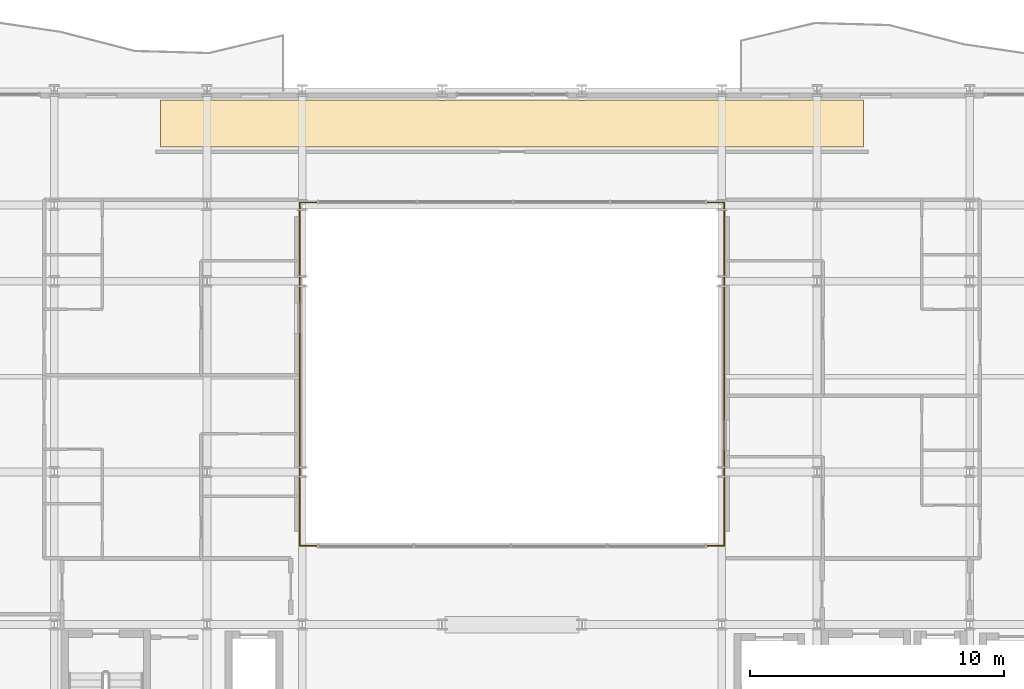
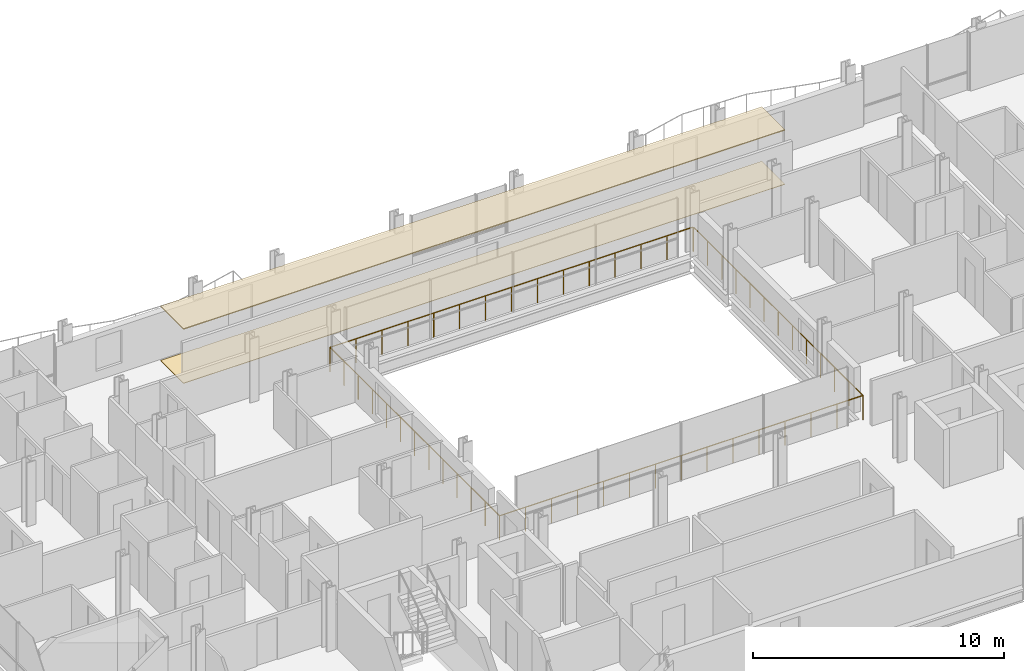
# One storey, part 39 of 41: 2 coverings, 2 railings.
"""IFC4 building model written with IfcOpenShell, lengths in metres."""

import ifcopenshell
import ifcopenshell.guid

model = None  # the IFC model being written
_history = None  # IfcOwnerHistory: only IFC2X3 demands one
_inside = {}  # id of a spatial element -> (the spatial element, [elements in it])
_under = {}  # id of a project, library or spatial element -> (it, [spatial elements below it])
_declared = {}  # id of a project -> (the project, [libraries it declares])
_typed = {}  # id of a type object -> (the type object, [elements of that type])
_made_of = {}  # id of a material, layer set ... -> (it, [elements and type objects made of it])


def new_model(schema):
    """Start an empty IFC model of exactly this schema.

    Asked for "IFC4X3", IfcOpenShell would pick the latest addendum, in which some entities
    have other attributes; the version numbers below select the first issue.
    IFC2X3 requires an IfcOwnerHistory on every rooted entity: one is made here for all.
    """
    global model, _history
    if schema == "IFC4X3":
        model = ifcopenshell.file(schema_version=(4, 3, 0, 0))
    else:
        model = ifcopenshell.file(schema=schema)
    _inside.clear()
    _under.clear()
    _declared.clear()
    _typed.clear()
    _made_of.clear()
    _history = None
    if model.schema == "IFC2X3":
        org = make("IfcOrganization", Name="unknown")
        user = make(
            "IfcPersonAndOrganization",
            ThePerson=make("IfcPerson", FamilyName="unknown"),
            TheOrganization=org,
        )
        app = make(
            "IfcApplication",
            ApplicationDeveloper=org,
            Version="unknown",
            ApplicationFullName="unknown",
            ApplicationIdentifier="unknown",
        )
        _history = make(
            "IfcOwnerHistory",
            OwningUser=user,
            OwningApplication=app,
            ChangeAction="ADDED",
            CreationDate=0,
        )
    return model


def make(cls, **values):
    """One entity of the class cls with the attributes given. An attribute that is None is left unset."""
    return model.create_entity(
        cls, **{name: value for name, value in values.items() if value is not None}
    )


def rooted(cls, **values):
    """An entity with a GlobalId (a new one), such as an element, a storey or a relation."""
    return make(cls, GlobalId=ifcopenshell.guid.new(), OwnerHistory=_history, **values)


def si_unit(unit_type, name, prefix=None):
    """IfcSIUnit, for example si_unit("LENGTHUNIT", "METRE", prefix="MILLI")."""
    return make("IfcSIUnit", UnitType=unit_type, Prefix=prefix, Name=name)


def assignment(units):
    """IfcUnitAssignment: the units of a project."""
    return None if units is None else make("IfcUnitAssignment", Units=units)


def point(xyz):
    """IfcCartesianPoint."""
    return None if xyz is None else make("IfcCartesianPoint", Coordinates=xyz)


def direction(xyz):
    """IfcDirection."""
    return None if xyz is None else make("IfcDirection", DirectionRatios=xyz)


def frame(location, z_axis=None, x_axis=None):
    """IfcAxis2Placement3D, a coordinate frame: its origin and axes. An axis left out is left unset."""
    return make(
        "IfcAxis2Placement3D",
        Location=point(location),
        Axis=direction(z_axis),
        RefDirection=direction(x_axis),
    )


def frame_2d(location, x_axis=None):
    """IfcAxis2Placement2D, a coordinate frame in the plane: its origin and x axis."""
    return make(
        "IfcAxis2Placement2D", Location=point(location), RefDirection=direction(x_axis)
    )


def origin():
    """The frame at (0, 0, 0) with its axes left unset."""
    return frame((0.0, 0.0, 0.0))


def origin_2d():
    """The frame at (0, 0) in the plane with its x axis left unset."""
    return frame_2d((0.0, 0.0))


def place(relative_to, where):
    """IfcLocalPlacement: puts the frame where relative to a parent placement (None: the world)."""
    return make(
        "IfcLocalPlacement", PlacementRelTo=relative_to, RelativePlacement=where
    )


def context(
    kind, dimensions, precision=None, world=None, true_north=None, identifier=None
):
    """IfcGeometricRepresentationContext, for example the 3D "Model" context."""
    return make(
        "IfcGeometricRepresentationContext",
        ContextIdentifier=identifier,
        ContextType=kind,
        CoordinateSpaceDimension=dimensions,
        Precision=precision,
        WorldCoordinateSystem=world,
        TrueNorth=true_north,
    )


def subcontext(parent, identifier, kind, view, scale=None):
    """IfcGeometricRepresentationSubContext, for example "Body" below "Model"."""
    return make(
        "IfcGeometricRepresentationSubContext",
        ContextIdentifier=identifier,
        ContextType=kind,
        ParentContext=parent,
        TargetScale=scale,
        TargetView=view,
    )


def project(units=None, contexts=None):
    """IfcProject with its units and contexts."""
    return rooted(
        "IfcProject",
        Name="project",
        RepresentationContexts=contexts,
        UnitsInContext=assignment(units),
    )


def spatial(cls, under=None, at=None, **own):
    """A site, building, storey or space (cls), placed at a placement, below another one or the project."""
    s = rooted(cls, ObjectPlacement=at, **own)
    if under is not None:
        _under.setdefault(under.id(), (under, []))[1].append(s)
    return s


def polyline(points):
    """IfcPolyline through the points."""
    return make("IfcPolyline", Points=[point(p) for p in points])


def profile(cls, at=None, kind="AREA", **sizes):
    """A parametric profile (cls). Its sizes go by their IFC names, for example OverallWidth=200.0."""
    return make(cls, ProfileType=kind, Position=at, **sizes)


def circle(**sizes):
    """IfcCircleProfileDef."""
    return profile("IfcCircleProfileDef", **sizes)


def outline(outer, holes=None, kind="AREA"):
    """IfcArbitraryClosedProfileDef: a profile drawn as a closed curve; with holes, ...WithVoids."""
    if holes is None:
        return make("IfcArbitraryClosedProfileDef", ProfileType=kind, OuterCurve=outer)
    return make(
        "IfcArbitraryProfileDefWithVoids",
        ProfileType=kind,
        OuterCurve=outer,
        InnerCurves=holes,
    )


def extrude(swept, where, along, depth):
    """IfcExtrudedAreaSolid: the profile swept, set in the frame where, extruded along a direction by depth."""
    return make(
        "IfcExtrudedAreaSolid",
        SweptArea=swept,
        Position=where,
        ExtrudedDirection=direction(along),
        Depth=depth,
    )


def shape(context_of_items, identifier, shape_type, items):
    """IfcShapeRepresentation: the items that make up one representation, for example the "Body"."""
    return make(
        "IfcShapeRepresentation",
        ContextOfItems=context_of_items,
        RepresentationIdentifier=identifier,
        RepresentationType=shape_type,
        Items=items,
    )


def material(Name=None, Category=None):
    """IfcMaterial."""
    return make("IfcMaterial", Name=Name, Category=Category)


def layer(
    of_material, thickness, ventilated=None, Name=None, Category=None, Priority=None
):
    """IfcMaterialLayer: one layer of a wall or slab, of a material (None: an air gap)."""
    return make(
        "IfcMaterialLayer",
        Material=of_material,
        LayerThickness=thickness,
        IsVentilated=ventilated,
        Name=Name,
        Category=Category,
        Priority=Priority,
    )


def layer_set(layers, Name=None):
    """IfcMaterialLayerSet."""
    return make("IfcMaterialLayerSet", MaterialLayers=layers, LayerSetName=Name)


def made_of(thing, what):
    """Note that an element or type object is made of a material, layer set ...; save() writes the relation."""
    if what is not None:
        _made_of.setdefault(what.id(), (what, []))[1].append(thing)
    return thing


def type_object(cls, material=None, **own):
    """A type object (cls), such as IfcWallType, which elements share."""
    return made_of(rooted(cls, **own), material)


def element(
    cls,
    number,
    at=None,
    inside=None,
    cuts=None,
    type_object=None,
    material=None,
    context=None,
    identifier="Body",
    shape_type=None,
    held_by="IfcProductDefinitionShape",
    body=None,
    shapes=None,
    **own,
):
    """One element of the class cls, such as IfcWall. Its Tag is "e" and its number.

    at: its placement. inside: the storey or other place that contains it. cuts: it is an
    opening in that element (IfcRelVoidsElement). A single representation is given by context,
    identifier, shape_type and body (its items); several are given by shapes. held_by: the class
    of the entity that holds the representations. save() writes the other relations.
    """
    e = rooted(cls, Tag="e%d" % number, ObjectPlacement=at, **own)
    if body is not None:
        shapes = [shape(context, identifier, shape_type, body)]
    if shapes is not None:
        e.Representation = make(held_by, Representations=shapes)
    if inside is not None:
        _inside.setdefault(inside.id(), (inside, []))[1].append(e)
    if cuts is not None:
        rooted(
            "IfcRelVoidsElement", RelatingBuildingElement=cuts, RelatedOpeningElement=e
        )
    if type_object is not None:
        _typed.setdefault(type_object.id(), (type_object, []))[1].append(e)
    return made_of(e, material)


def aggregate(whole, parts):
    """IfcRelAggregates: a whole, such as a stair, and the parts it consists of."""
    return rooted("IfcRelAggregates", RelatingObject=whole, RelatedObjects=parts)


def save(model, path):
    """Write the relations noted so far, then the file.

    IfcRelAggregates (storeys below a building ...), IfcRelContainedInSpatialStructure (elements
    in a storey), IfcRelDefinesByType, IfcRelAssociatesMaterial and IfcRelDeclares: one each for
    every whole, place, type object, material and project.
    """
    for whole, parts in _under.values():
        aggregate(whole, parts)
    for where, things in _inside.values():
        rooted(
            "IfcRelContainedInSpatialStructure",
            RelatedElements=things,
            RelatingStructure=where,
        )
    for kind, things in _typed.values():
        rooted("IfcRelDefinesByType", RelatedObjects=things, RelatingType=kind)
    for what, things in _made_of.values():
        rooted("IfcRelAssociatesMaterial", RelatedObjects=things, RelatingMaterial=what)
    for by, libraries in _declared.values():
        rooted("IfcRelDeclares", RelatingContext=by, RelatedDefinitions=libraries)
    model.write(path)


model = new_model("IFC4")

# Units and contexts
model_context = context("Model", 3, precision=1e-05, world=origin(), true_north=direction((0.0, 1.0)))
body_context = subcontext(model_context, "Body", "Model", "MODEL_VIEW")
ifc_project = project(units=[si_unit("LENGTHUNIT", "METRE"), si_unit("AREAUNIT", "SQUARE_METRE"), si_unit("VOLUMEUNIT", "CUBIC_METRE"), si_unit("PLANEANGLEUNIT", "RADIAN"), si_unit("MASSUNIT", "GRAM", prefix="KILO")], contexts=[model_context])

# Site, building, storey
site_placement = place(None, origin())
site = spatial("IfcSite", under=ifc_project, at=site_placement, CompositionType="ELEMENT")
building_placement = place(site_placement, origin())
building = spatial("IfcBuilding", under=site, at=building_placement, Name="Brevholm Reach", CompositionType="ELEMENT")
storey_placement = place(building_placement, frame((0.0, 0.0, 93.10009765625)))
storey = spatial("IfcBuildingStorey", under=building, at=storey_placement, Name="L27", CompositionType="ELEMENT", Elevation=93.10009765625)

# Coverings
ifc_material_1 = material(Name="Perforated Mineral-Fibre Class-A Acoustic Suspended Ceiling", Category="gypsum")
ifc_layer_1 = layer(ifc_material_1, 0.044921875)
ifc_layer_set_1 = layer_set([ifc_layer_1], Name="Perforated Mineral-Fibre Class-A Acoustic Suspended Ceiling")
covering_type_1 = type_object("IfcCoveringType", Name="COV-CLG-AC", PredefinedType="CEILING", material=ifc_layer_set_1)
covering_1_placement = place(storey_placement, frame((0.0, 0.0, 2.625)))
element("IfcCovering", 1, at=covering_1_placement, inside=storey, type_object=covering_type_1, Name="L27 Suspended Ceiling L27-79", PredefinedType="CEILING", context=body_context, shape_type="SweptSolid", body=[
    extrude(outline(polyline([(16.179931640625, 30.6201171875), (17.876220703125, 30.6201171875), (17.8837890625, 30.6171875), (17.922119140625, 30.607666015625), (17.960693359375, 30.601806640625), (18.0, 30.60009765625), (18.039306640625, 30.601806640625), (18.077880859375, 30.607666015625), (18.1162109375, 30.6171875), (18.123779296875, 30.6201171875), (21.626220703125, 30.6201171875), (21.6337890625, 30.6171875), (21.672119140625, 30.607666015625), (21.710693359375, 30.601806640625), (21.75, 30.60009765625), (21.789306640625, 30.601806640625), (21.827880859375, 30.607666015625), (21.8662109375, 30.6171875), (21.873779296875, 30.6201171875), (27.126220703125, 30.6201171875), (27.1337890625, 30.6171875), (27.172119140625, 30.607666015625), (27.210693359375, 30.601806640625), (27.25, 30.60009765625), (27.289306640625, 30.601806640625), (27.327880859375, 30.607666015625), (27.3662109375, 30.6171875), (27.373779296875, 30.6201171875), (32.626220703125, 30.6201171875), (32.6337890625, 30.6171875), (32.672119140625, 30.607666015625), (32.710693359375, 30.601806640625), (32.75, 30.60009765625), (32.789306640625, 30.601806640625), (32.827880859375, 30.607666015625), (32.8662109375, 30.6171875), (32.873779296875, 30.6201171875), (38.126220703125, 30.6201171875), (38.1337890625, 30.6171875), (38.172119140625, 30.607666015625), (38.210693359375, 30.601806640625), (38.25, 30.60009765625), (38.289306640625, 30.601806640625), (38.327880859375, 30.607666015625), (38.3662109375, 30.6171875), (38.373779296875, 30.6201171875), (41.876220703125, 30.6201171875), (41.8837890625, 30.6171875), (41.922119140625, 30.607666015625), (41.960693359375, 30.601806640625), (42.0, 30.60009765625), (42.039306640625, 30.601806640625), (42.077880859375, 30.607666015625), (42.1162109375, 30.6171875), (42.123779296875, 30.6201171875), (43.820068359375, 30.6201171875), (43.820068359375, 28.783935546875), (16.179931640625, 28.783935546875), (16.179931640625, 30.6201171875)])), origin(), (0.0, 0.0, 1.0), 0.044921875),
])
ifc_material_2 = material(Name="Engineered European Oak Acoustic Plank Flooring", Category="timber")
ifc_layer_2 = layer(ifc_material_2, 0.02197265625)
ifc_layer_set_2 = layer_set([ifc_layer_2], Name="Engineered European Oak Acoustic Plank Flooring")
covering_type_2 = type_object("IfcCoveringType", Name="COV-FLR-OAK", PredefinedType="FLOORING", material=ifc_layer_set_2)
covering_2_placement = place(storey_placement, origin())
element("IfcCovering", 2, at=covering_2_placement, inside=storey, type_object=covering_type_2, Name="L27 Floor Finish L27-79", PredefinedType="FLOORING", context=body_context, shape_type="SweptSolid", body=[
    extrude(outline(polyline([(16.179931640625, 30.6201171875), (17.876220703125, 30.6201171875), (17.8837890625, 30.6171875), (17.922119140625, 30.607666015625), (17.960693359375, 30.601806640625), (18.0, 30.60009765625), (18.039306640625, 30.601806640625), (18.077880859375, 30.607666015625), (18.1162109375, 30.6171875), (18.123779296875, 30.6201171875), (21.626220703125, 30.6201171875), (21.6337890625, 30.6171875), (21.672119140625, 30.607666015625), (21.710693359375, 30.601806640625), (21.75, 30.60009765625), (21.789306640625, 30.601806640625), (21.827880859375, 30.607666015625), (21.8662109375, 30.6171875), (21.873779296875, 30.6201171875), (27.126220703125, 30.6201171875), (27.1337890625, 30.6171875), (27.172119140625, 30.607666015625), (27.210693359375, 30.601806640625), (27.25, 30.60009765625), (27.289306640625, 30.601806640625), (27.327880859375, 30.607666015625), (27.3662109375, 30.6171875), (27.373779296875, 30.6201171875), (32.626220703125, 30.6201171875), (32.6337890625, 30.6171875), (32.672119140625, 30.607666015625), (32.710693359375, 30.601806640625), (32.75, 30.60009765625), (32.789306640625, 30.601806640625), (32.827880859375, 30.607666015625), (32.8662109375, 30.6171875), (32.873779296875, 30.6201171875), (38.126220703125, 30.6201171875), (38.1337890625, 30.6171875), (38.172119140625, 30.607666015625), (38.210693359375, 30.601806640625), (38.25, 30.60009765625), (38.289306640625, 30.601806640625), (38.327880859375, 30.607666015625), (38.3662109375, 30.6171875), (38.373779296875, 30.6201171875), (41.876220703125, 30.6201171875), (41.8837890625, 30.6171875), (41.922119140625, 30.607666015625), (41.960693359375, 30.601806640625), (42.0, 30.60009765625), (42.039306640625, 30.601806640625), (42.077880859375, 30.607666015625), (42.1162109375, 30.6171875), (42.123779296875, 30.6201171875), (43.820068359375, 30.6201171875), (43.820068359375, 28.783935546875), (16.179931640625, 28.783935546875), (16.179931640625, 30.6201171875)])), origin(), (0.0, 0.0, 1.0), 0.02197265625),
])

# Railings
ifc_material_3 = material(Name="Brushed Stainless Steel EN 1.4401 and Laminated Glass", Category="steel")
railing_type = type_object("IfcRailingType", Name="RAL-TERR-1200", PredefinedType="BALUSTRADE", material=ifc_material_3)
railing_1_placement = place(storey_placement, frame((21.64990234375, 13.10009765625, 0.0)))
element("IfcRailing", 3, at=railing_1_placement, inside=storey, type_object=railing_type, Name="L27 Guard Balustrade RAL-L27-AT-VOID-SW", PredefinedType="BALUSTRADE", context=body_context, shape_type="SweptSolid", body=[
    extrude(circle(Radius=0.02392578125, at=origin_2d()), frame((0.0, 0.0, 1.17578125), z_axis=(1.0, 0.0, 0.0), x_axis=(0.0, 1.0, 0.0)), (0.0, 0.0, 1.0), 16.7001953125),
    extrude(circle(Radius=0.02392578125, at=origin_2d()), frame((16.7001953125, 0.0, 1.17578125), z_axis=(0.0, 1.0, 0.0), x_axis=(-1.0, 0.0, 0.0)), (0.0, 0.0, 1.0), 13.47998046875),
    extrude(circle(Radius=0.02099609375, at=origin_2d()), origin(), (0.0, 0.0, 1.0), 1.15185546875),
    extrude(circle(Radius=0.02099609375, at=origin_2d()), frame((1.19287109375, 0.0, 0.0)), (0.0, 0.0, 1.0), 1.15185546875),
    extrude(circle(Radius=0.02099609375, at=origin_2d()), frame((2.3857421875, 0.0, 0.0)), (0.0, 0.0, 1.0), 1.15185546875),
    extrude(circle(Radius=0.02099609375, at=origin_2d()), frame((3.57861328125, 0.0, 0.0)), (0.0, 0.0, 1.0), 1.15185546875),
    extrude(circle(Radius=0.02099609375, at=origin_2d()), frame((4.771484375, 0.0, 0.0)), (0.0, 0.0, 1.0), 1.15185546875),
    extrude(circle(Radius=0.02099609375, at=origin_2d()), frame((5.96435546875, 0.0, 0.0)), (0.0, 0.0, 1.0), 1.15185546875),
    extrude(circle(Radius=0.02099609375, at=origin_2d()), frame((7.1572265625, 0.0, 0.0)), (0.0, 0.0, 1.0), 1.15185546875),
    extrude(circle(Radius=0.02099609375, at=origin_2d()), frame((8.35009765625, 0.0, 0.0)), (0.0, 0.0, 1.0), 1.15185546875),
    extrude(circle(Radius=0.02099609375, at=origin_2d()), frame((9.54296875, 0.0, 0.0)), (0.0, 0.0, 1.0), 1.15185546875),
    extrude(circle(Radius=0.02099609375, at=origin_2d()), frame((10.73583984375, 0.0, 0.0)), (0.0, 0.0, 1.0), 1.15185546875),
    extrude(circle(Radius=0.02099609375, at=origin_2d()), frame((11.9287109375, 0.0, 0.0)), (0.0, 0.0, 1.0), 1.15185546875),
    extrude(circle(Radius=0.02099609375, at=origin_2d()), frame((13.12158203125, 0.0, 0.0)), (0.0, 0.0, 1.0), 1.15185546875),
    extrude(circle(Radius=0.02099609375, at=origin_2d()), frame((14.314453125, 0.0, 0.0)), (0.0, 0.0, 1.0), 1.15185546875),
    extrude(circle(Radius=0.02099609375, at=origin_2d()), frame((15.50732421875, 0.0, 0.0)), (0.0, 0.0, 1.0), 1.15185546875),
    extrude(circle(Radius=0.02099609375, at=origin_2d()), frame((16.7001953125, 0.0, 0.0)), (0.0, 0.0, 1.0), 1.15185546875),
    extrude(circle(Radius=0.02099609375, at=origin_2d()), frame((16.7001953125, 1.123291015625, 0.0)), (0.0, 0.0, 1.0), 1.15185546875),
    extrude(circle(Radius=0.02099609375, at=origin_2d()), frame((16.7001953125, 2.24658203125, 0.0)), (0.0, 0.0, 1.0), 1.15185546875),
    extrude(circle(Radius=0.02099609375, at=origin_2d()), frame((16.7001953125, 3.3701171875, 0.0)), (0.0, 0.0, 1.0), 1.15185546875),
    extrude(circle(Radius=0.02099609375, at=origin_2d()), frame((16.7001953125, 4.493408203125, 0.0)), (0.0, 0.0, 1.0), 1.15185546875),
    extrude(circle(Radius=0.02099609375, at=origin_2d()), frame((16.7001953125, 5.61669921875, 0.0)), (0.0, 0.0, 1.0), 1.15185546875),
    extrude(circle(Radius=0.02099609375, at=origin_2d()), frame((16.7001953125, 6.739990234375, 0.0)), (0.0, 0.0, 1.0), 1.15185546875),
    extrude(circle(Radius=0.02099609375, at=origin_2d()), frame((16.7001953125, 7.86328125, 0.0)), (0.0, 0.0, 1.0), 1.15185546875),
    extrude(circle(Radius=0.02099609375, at=origin_2d()), frame((16.7001953125, 8.986572265625, 0.0)), (0.0, 0.0, 1.0), 1.15185546875),
    extrude(circle(Radius=0.02099609375, at=origin_2d()), frame((16.7001953125, 10.10986328125, 0.0)), (0.0, 0.0, 1.0), 1.15185546875),
    extrude(circle(Radius=0.02099609375, at=origin_2d()), frame((16.7001953125, 11.2333984375, 0.0)), (0.0, 0.0, 1.0), 1.15185546875),
    extrude(circle(Radius=0.02099609375, at=origin_2d()), frame((16.7001953125, 12.356689453125, 0.0)), (0.0, 0.0, 1.0), 1.15185546875),
    extrude(circle(Radius=0.02099609375, at=origin_2d()), frame((16.7001953125, 13.47998046875, 0.0)), (0.0, 0.0, 1.0), 1.15185546875),
])
railing_2_placement = place(storey_placement, frame((38.330078125, 26.60009765625, 0.0)))
element("IfcRailing", 4, at=railing_2_placement, inside=storey, type_object=railing_type, Name="L27 Guard Balustrade RAL-L27-AT-VOID-NE", PredefinedType="BALUSTRADE", context=body_context, shape_type="SweptSolid", body=[
    extrude(circle(Radius=0.02392578125, at=origin_2d()), frame((0.0, 0.0, 1.17578125), z_axis=(-1.0, 0.0, 0.0), x_axis=(0.0, -1.0, 0.0)), (0.0, 0.0, 1.0), 16.68017578125),
    extrude(circle(Radius=0.02392578125, at=origin_2d()), frame((-16.68017578125, 0.0, 1.17578125), z_axis=(0.0, -1.0, 0.0), x_axis=(1.0, 0.0, 0.0)), (0.0, 0.0, 1.0), 13.47998046875),
    extrude(circle(Radius=0.02099609375, at=origin_2d()), origin(), (0.0, 0.0, 1.0), 1.15185546875),
    extrude(circle(Radius=0.02099609375, at=origin_2d()), frame((-1.19140625, 0.0, 0.0)), (0.0, 0.0, 1.0), 1.15185546875),
    extrude(circle(Radius=0.02099609375, at=origin_2d()), frame((-2.3828125, 0.0, 0.0)), (0.0, 0.0, 1.0), 1.15185546875),
    extrude(circle(Radius=0.02099609375, at=origin_2d()), frame((-3.57421875, 0.0, 0.0)), (0.0, 0.0, 1.0), 1.15185546875),
    extrude(circle(Radius=0.02099609375, at=origin_2d()), frame((-4.765869140625, 0.0, 0.0)), (0.0, 0.0, 1.0), 1.15185546875),
    extrude(circle(Radius=0.02099609375, at=origin_2d()), frame((-5.957275390625, 0.0, 0.0)), (0.0, 0.0, 1.0), 1.15185546875),
    extrude(circle(Radius=0.02099609375, at=origin_2d()), frame((-7.148681640625, 0.0, 0.0)), (0.0, 0.0, 1.0), 1.15185546875),
    extrude(circle(Radius=0.02099609375, at=origin_2d()), frame((-8.340087890625, 0.0, 0.0)), (0.0, 0.0, 1.0), 1.15185546875),
    extrude(circle(Radius=0.02099609375, at=origin_2d()), frame((-9.531494140625, 0.0, 0.0)), (0.0, 0.0, 1.0), 1.15185546875),
    extrude(circle(Radius=0.02099609375, at=origin_2d()), frame((-10.722900390625, 0.0, 0.0)), (0.0, 0.0, 1.0), 1.15185546875),
    extrude(circle(Radius=0.02099609375, at=origin_2d()), frame((-11.914306640625, 0.0, 0.0)), (0.0, 0.0, 1.0), 1.15185546875),
    extrude(circle(Radius=0.02099609375, at=origin_2d()), frame((-13.10595703125, 0.0, 0.0)), (0.0, 0.0, 1.0), 1.15185546875),
    extrude(circle(Radius=0.02099609375, at=origin_2d()), frame((-14.29736328125, 0.0, 0.0)), (0.0, 0.0, 1.0), 1.15185546875),
    extrude(circle(Radius=0.02099609375, at=origin_2d()), frame((-15.48876953125, 0.0, 0.0)), (0.0, 0.0, 1.0), 1.15185546875),
    extrude(circle(Radius=0.02099609375, at=origin_2d()), frame((-16.68017578125, 0.0, 0.0)), (0.0, 0.0, 1.0), 1.15185546875),
    extrude(circle(Radius=0.02099609375, at=origin_2d()), frame((-16.68017578125, -1.123291015625, 0.0)), (0.0, 0.0, 1.0), 1.15185546875),
    extrude(circle(Radius=0.02099609375, at=origin_2d()), frame((-16.68017578125, -2.24658203125, 0.0)), (0.0, 0.0, 1.0), 1.15185546875),
    extrude(circle(Radius=0.02099609375, at=origin_2d()), frame((-16.68017578125, -3.3701171875, 0.0)), (0.0, 0.0, 1.0), 1.15185546875),
    extrude(circle(Radius=0.02099609375, at=origin_2d()), frame((-16.68017578125, -4.493408203125, 0.0)), (0.0, 0.0, 1.0), 1.15185546875),
    extrude(circle(Radius=0.02099609375, at=origin_2d()), frame((-16.68017578125, -5.61669921875, 0.0)), (0.0, 0.0, 1.0), 1.15185546875),
    extrude(circle(Radius=0.02099609375, at=origin_2d()), frame((-16.68017578125, -6.739990234375, 0.0)), (0.0, 0.0, 1.0), 1.15185546875),
    extrude(circle(Radius=0.02099609375, at=origin_2d()), frame((-16.68017578125, -7.86328125, 0.0)), (0.0, 0.0, 1.0), 1.15185546875),
    extrude(circle(Radius=0.02099609375, at=origin_2d()), frame((-16.68017578125, -8.986572265625, 0.0)), (0.0, 0.0, 1.0), 1.15185546875),
    extrude(circle(Radius=0.02099609375, at=origin_2d()), frame((-16.68017578125, -10.10986328125, 0.0)), (0.0, 0.0, 1.0), 1.15185546875),
    extrude(circle(Radius=0.02099609375, at=origin_2d()), frame((-16.68017578125, -11.2333984375, 0.0)), (0.0, 0.0, 1.0), 1.15185546875),
    extrude(circle(Radius=0.02099609375, at=origin_2d()), frame((-16.68017578125, -12.356689453125, 0.0)), (0.0, 0.0, 1.0), 1.15185546875),
    extrude(circle(Radius=0.02099609375, at=origin_2d()), frame((-16.68017578125, -13.47998046875, 0.0)), (0.0, 0.0, 1.0), 1.15185546875),
])

save(model, "model.ifc")
